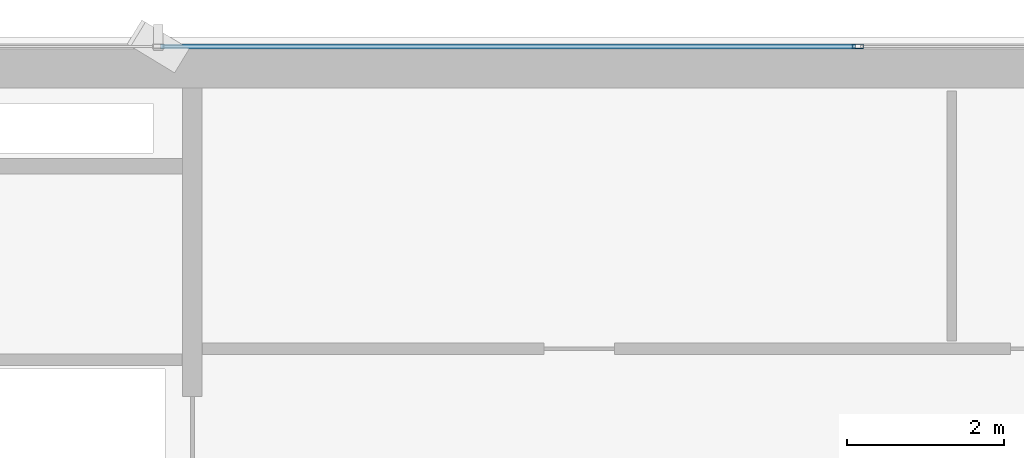
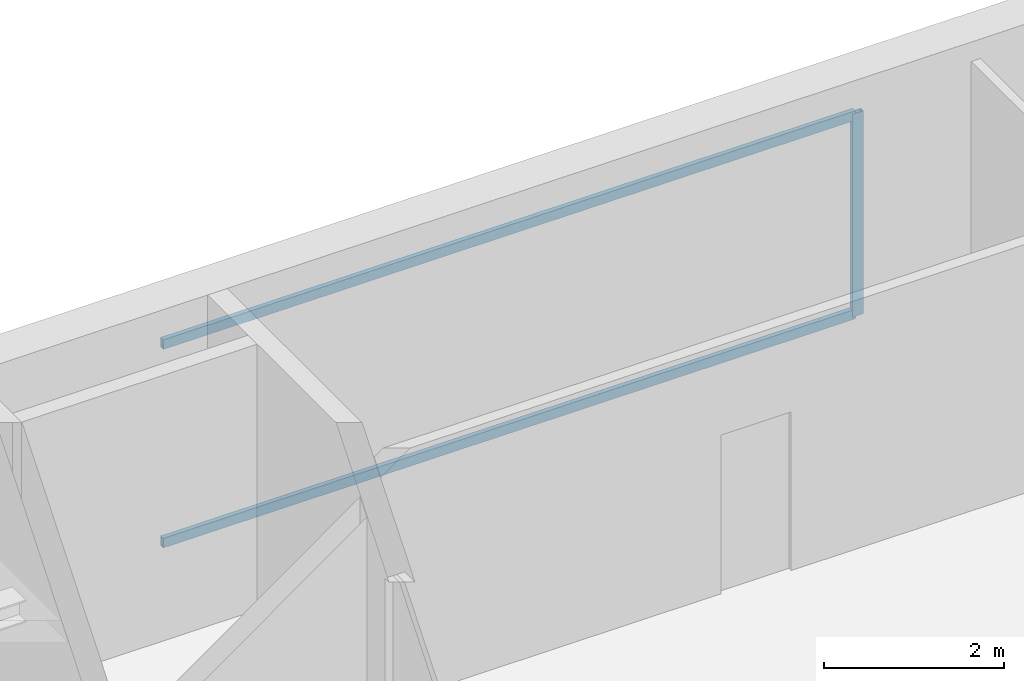
# One storey, part 16 of 26: 3 members, 1 element without a shape of its own.
"""IFC4 building model written with IfcOpenShell, lengths in metres."""

from ifc_helpers import new_model, si_unit, direction, frame, origin, origin_2d, place, context, subcontext, project, spatial, hollow_rectangle, extrude, source, transform, mapped, material, layer, layer_set, material_profile, profile_set, type_object, element, aggregate, save


model = new_model("IFC4")

# Units and contexts
model_context = context("Model", 3, precision=1e-05, world=origin(), true_north=direction((0.0, 1.0)))
body_context = subcontext(model_context, "Body", "Model", "MODEL_VIEW")
ifc_project = project(units=[si_unit("LENGTHUNIT", "METRE"), si_unit("AREAUNIT", "SQUARE_METRE"), si_unit("VOLUMEUNIT", "CUBIC_METRE"), si_unit("PLANEANGLEUNIT", "RADIAN"), si_unit("MASSUNIT", "GRAM", prefix="KILO")], contexts=[model_context])

# Site, building, storey
site_placement = place(None, origin())
site = spatial("IfcSite", under=ifc_project, at=site_placement, CompositionType="ELEMENT")
building_placement = place(site_placement, origin())
building = spatial("IfcBuilding", under=site, at=building_placement, Name="Sumidabori Civic Tower", CompositionType="ELEMENT")
storey_placement = place(building_placement, frame((0.0, 0.0, 250.39990234375)))
storey = spatial("IfcBuildingStorey", under=building, at=storey_placement, Name="L65", CompositionType="ELEMENT", Elevation=250.39990234375)

# Curtain wall, members
ifc_material = material(Name="Anodised Bronze Aluminium AW-6063-T6", Category="aluminium")
ifc_layer = layer(ifc_material, 0.179931640625, Name="Anodised Bronze Aluminium AW-6063-T6")
ifc_layer_set = layer_set([ifc_layer], Name="Anodised Bronze Aluminium AW-6063-T6")
curtain_wall_type = type_object("IfcCurtainWallType", Name="CW-SYS-5", PredefinedType="NOTDEFINED", material=ifc_layer_set)
curtain_wall_placement = place(storey_placement, origin())
curtain_wall = element("IfcCurtainWall", 1, at=curtain_wall_placement, inside=storey, type_object=curtain_wall_type, Name="Curtain Wall CW:L65:R07", PredefinedType="NOTDEFINED")
ifc_material_profile_1 = material_profile(ifc_material, hollow_rectangle(XDim=0.06005859375, YDim=0.139892578125, WallThickness=0.0048828125, at=origin_2d()), Name="ALU MULLION 140x60")
ifc_profile_set_1 = profile_set([ifc_material_profile_1], Name="Anodised Bronze Aluminium AW-6063-T6")
member_type_1 = type_object("IfcMemberType", Name="CW-MUL-140", PredefinedType="MULLION", material=ifc_profile_set_1)
shared_shape_1 = source(origin(), body_context, "Body", "SweptSolid", [
    extrude(hollow_rectangle(XDim=0.06005859375, YDim=0.139892578125, WallThickness=0.0048828125, at=origin_2d()), origin(), (0.0, 0.0, 1.0), 2.75),
])
member_1_placement = place(storey_placement, frame((0.0, 24.080078125, 0.0), z_axis=(0.0, 0.0, 1.0), x_axis=(0.0, -1.0, 0.0)))
member_1 = element("IfcMember", 2, at=member_1_placement, type_object=member_type_1, Name="CW-5 mullion 3", PredefinedType="MULLION", context=body_context, shape_type="MappedRepresentation", body=[
    mapped(shared_shape_1, transform((0.0, 0.0, 0.0), x_axis=(1.0, 0.0, 0.0), y_axis=(0.0, 1.0, 0.0), z_axis=(0.0, 0.0, 1.0), scale=1.0)),
])
ifc_material_profile_2 = material_profile(ifc_material, hollow_rectangle(XDim=0.06005859375, YDim=0.1298828125, WallThickness=0.0048828125, at=origin_2d()), Name="ALU TRANSOM 130x60")
ifc_profile_set_2 = profile_set([ifc_material_profile_2], Name="Anodised Bronze Aluminium AW-6063-T6")
member_type_2 = type_object("IfcMemberType", Name="CW-TRN-130", PredefinedType="USERDEFINED", material=ifc_profile_set_2)
shared_shape_2 = source(origin(), body_context, "Body", "SweptSolid", [
    extrude(hollow_rectangle(XDim=0.06005859375, YDim=0.1298828125, WallThickness=0.0048828125, at=origin_2d()), origin(), (0.0, 0.0, 1.0), 8.875),
])
member_2_placement = place(storey_placement, frame((-0.030029296875, 24.080078125, 0.030029296875), z_axis=(-1.0, 0.0, 0.0), x_axis=(0.0, -1.0, 0.0)))
member_2 = element("IfcMember", 3, at=member_2_placement, type_object=member_type_2, Name="CW-5 transom 3.1", ObjectType="TRANSOM", PredefinedType="USERDEFINED", context=body_context, shape_type="MappedRepresentation", body=[
    mapped(shared_shape_2, transform((0.0, 0.0, 0.0), x_axis=(1.0, 0.0, 0.0), y_axis=(0.0, 1.0, 0.0), z_axis=(0.0, 0.0, 1.0), scale=1.0)),
])
member_3_placement = place(storey_placement, frame((-0.030029296875, 24.080078125, 2.72021484375), z_axis=(-1.0, 0.0, 0.0), x_axis=(0.0, -1.0, 0.0)))
member_3 = element("IfcMember", 4, at=member_3_placement, type_object=member_type_2, Name="CW-5 transom 3.2", ObjectType="TRANSOM", PredefinedType="USERDEFINED", context=body_context, shape_type="MappedRepresentation", body=[
    mapped(shared_shape_2, transform((0.0, 0.0, 0.0), x_axis=(1.0, 0.0, 0.0), y_axis=(0.0, 1.0, 0.0), z_axis=(0.0, 0.0, 1.0), scale=1.0)),
])
aggregate(curtain_wall, [member_1, member_2, member_3])

save(model, "model.ifc")
